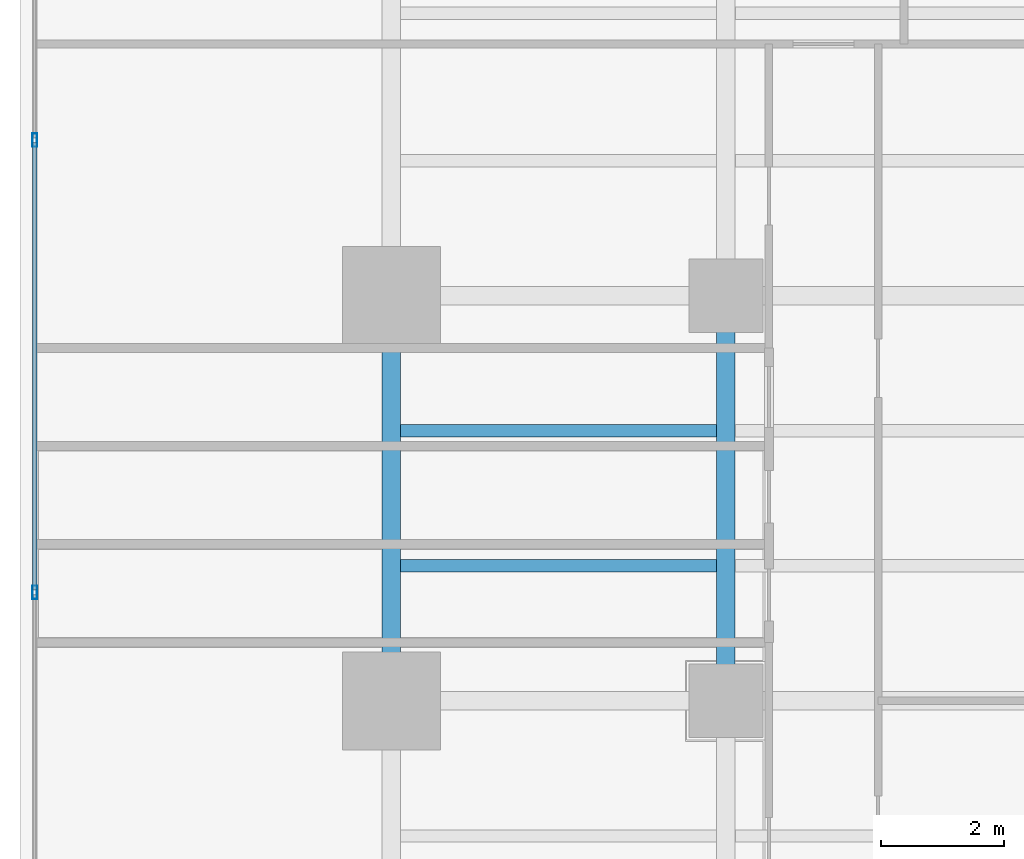
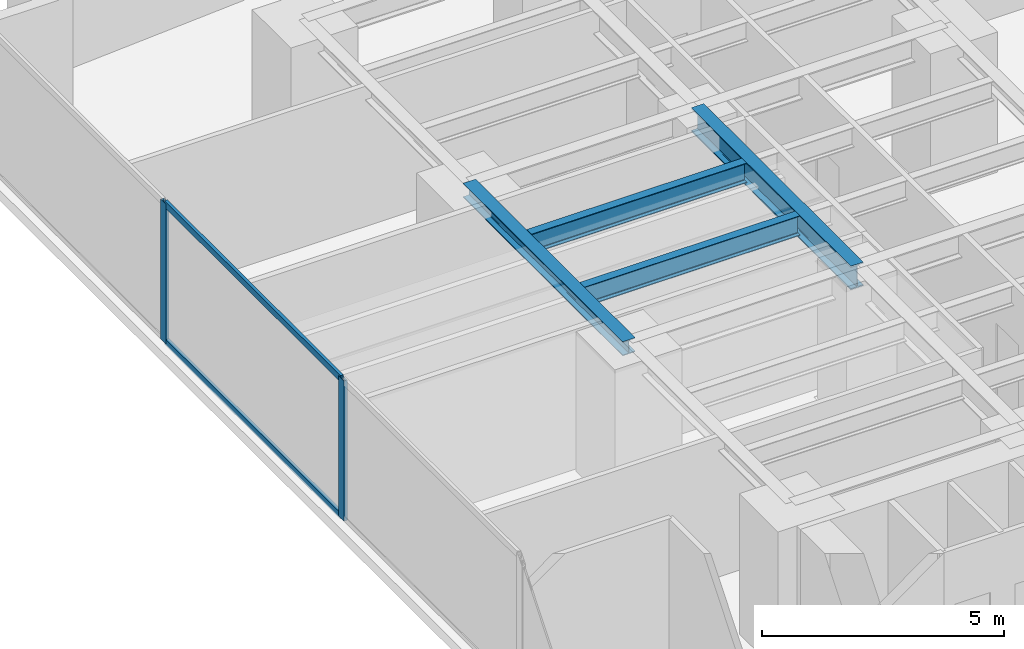
# One storey, part 15 of 26: 4 beams, 4 members, 1 element without a shape of its own.
"""IFC4 building model written with IfcOpenShell, lengths in metres."""

from ifc_helpers import new_model, si_unit, direction, frame, origin, origin_with_axes, origin_2d, place, context, subcontext, project, spatial, hollow_rectangle, i_section, extrude, source, transform, mapped, material, layer, layer_set, material_profile, profile_set, type_object, element, aggregate, save


model = new_model("IFC4")

# Units and contexts
model_context = context("Model", 3, precision=1e-05, world=origin(), true_north=direction((0.0, 1.0)))
body_context = subcontext(model_context, "Body", "Model", "MODEL_VIEW")
ifc_project = project(units=[si_unit("LENGTHUNIT", "METRE"), si_unit("AREAUNIT", "SQUARE_METRE"), si_unit("VOLUMEUNIT", "CUBIC_METRE"), si_unit("PLANEANGLEUNIT", "RADIAN"), si_unit("MASSUNIT", "GRAM", prefix="KILO")], contexts=[model_context])

# Site, building, storey
site_placement = place(None, origin())
site = spatial("IfcSite", under=ifc_project, at=site_placement, CompositionType="ELEMENT")
building_placement = place(site_placement, origin())
building = spatial("IfcBuilding", under=site, at=building_placement, Name="Kolvaren Waterfront Exchange", CompositionType="ELEMENT")
storey_placement = place(building_placement, frame((0.0, 0.0, 48.60009765625)))
storey = spatial("IfcBuildingStorey", under=building, at=storey_placement, Name="L12", CompositionType="ELEMENT", Elevation=48.60009765625)

# Beams
ifc_material_1 = material(Name="Steel S355", Category="steel")
ifc_material_profile_1 = material_profile(ifc_material_1, i_section(OverallWidth=0.300048828125, OverallDepth=0.360107421875, WebThickness=0.012451171875, FlangeThickness=0.0224609375, FilletRadius=0.027099609375, at=origin_2d()), Name="HEB360")
ifc_profile_set_1 = profile_set([ifc_material_profile_1], Name="Steel S355")
beam_type_1 = type_object("IfcBeamType", Name="STR-BM-HEB360", PredefinedType="SPANDREL", material=ifc_profile_set_1)
beam_1_placement = place(storey_placement, frame((7.449951171875, 31.199951171875, 3.35986328125), z_axis=(0.0, 1.0, 0.0), x_axis=(-1.0, 0.0, 0.0)))
element("IfcBeam", 1, at=beam_1_placement, inside=storey, type_object=beam_type_1, Name="L12 north-arm edge beam 2", PredefinedType="SPANDREL", context=body_context, shape_type="SweptSolid", body=[
    extrude(i_section(OverallWidth=0.300048828125, OverallDepth=0.360107421875, WebThickness=0.012451171875, FlangeThickness=0.0224609375, FilletRadius=0.027099609375, at=origin_2d()), origin(), (0.0, 0.0, 1.0), 6.60009765625),
])
ifc_material_profile_2 = material_profile(ifc_material_1, i_section(OverallWidth=0.300048828125, OverallDepth=0.60009765625, WebThickness=0.015380859375, FlangeThickness=0.030029296875, FilletRadius=0.027099609375, at=origin_2d()), Name="HEB600")
ifc_profile_set_2 = profile_set([ifc_material_profile_2], Name="Steel S355")
beam_type_2 = type_object("IfcBeamType", Name="STR-BM-HEB600", PredefinedType="BEAM", material=ifc_profile_set_2)
beam_2_placement = place(storey_placement, frame((12.89990234375, 31.199951171875, 3.239990234375), z_axis=(0.0, 1.0, 0.0), x_axis=(-1.0, 0.0, 0.0)))
element("IfcBeam", 2, at=beam_2_placement, inside=storey, type_object=beam_type_2, Name="L12 north-arm edge beam 2", PredefinedType="BEAM", context=body_context, shape_type="SweptSolid", body=[
    extrude(i_section(OverallWidth=0.300048828125, OverallDepth=0.60009765625, WebThickness=0.015380859375, FlangeThickness=0.030029296875, FilletRadius=0.027099609375, at=origin_2d()), origin(), (0.0, 0.0, 1.0), 6.60009765625),
])
ifc_material_profile_3 = material_profile(ifc_material_1, i_section(OverallWidth=0.199951171875, OverallDepth=0.5, WebThickness=0.01025390625, FlangeThickness=0.01611328125, FilletRadius=0.02099609375, at=origin_2d()), Name="IPE500")
ifc_profile_set_3 = profile_set([ifc_material_profile_3], Name="Steel S355")
beam_type_3 = type_object("IfcBeamType", Name="STR-BM-IPE500", PredefinedType="JOIST", material=ifc_profile_set_3)
for number, where, z_axis, x_axis, name in (
    (3, (7.60205078125, 33.39990234375, 3.289794921875), (1.0, 0.0, 0.0), (0.0, 1.0, 0.0), "L12 north-arm composite joist 3A"),
    (4, (7.60205078125, 35.60009765625, 3.289794921875), (1.0, 0.0, 0.0), (0.0, 1.0, 0.0), "L12 north-arm composite joist 4A"),
):
    element("IfcBeam", number, at=place(storey_placement, frame(where, z_axis=z_axis, x_axis=x_axis)), inside=storey, type_object=beam_type_3, Name=name, PredefinedType="JOIST", context=body_context, shape_type="SweptSolid", body=[
        extrude(i_section(OverallWidth=0.199951171875, OverallDepth=0.5, WebThickness=0.01025390625, FlangeThickness=0.01611328125, FilletRadius=0.02099609375, at=origin_2d()), origin(), (0.0, 0.0, 1.0), 5.14599609375),
    ])

# Curtain wall, members
ifc_material_2 = material(Name="Anodised aluminium 6063-T6", Category="aluminium")
ifc_layer = layer(ifc_material_2, 0.219970703125, Name="Anodised aluminium 6063-T6")
ifc_layer_set = layer_set([ifc_layer], Name="Anodised aluminium 6063-T6")
curtain_wall_type = type_object("IfcCurtainWallType", Name="ARC-CW-SYS2", PredefinedType="USERDEFINED", material=ifc_layer_set)
curtain_wall_placement = place(storey_placement, origin())
curtain_wall = element("IfcCurtainWall", 5, at=curtain_wall_placement, inside=storey, type_object=curtain_wall_type, Name="L12 stick curtain wall CW2 (CW-L12-W)", ObjectType="STICK CURTAIN WALL", PredefinedType="USERDEFINED")
ifc_material_profile_4 = material_profile(ifc_material_2, hollow_rectangle(XDim=0.080078125, YDim=0.219970703125, WallThickness=0.0048828125, at=origin_2d()), Name="ALU-MUL-220x80x5")
ifc_profile_set_4 = profile_set([ifc_material_profile_4], Name="Anodised aluminium 6063-T6")
member_type_1 = type_object("IfcMemberType", Name="ARC-CWM-220", PredefinedType="MULLION", material=ifc_profile_set_4)
shared_shape_1 = source(origin_with_axes(), body_context, "Body", "SweptSolid", [
    extrude(hollow_rectangle(XDim=0.080078125, YDim=0.219970703125, WallThickness=0.0048828125, at=origin_2d()), origin(), (0.0, 0.0, 1.0), 3.539794921875),
])
member_1_placement = place(storey_placement, frame((1.639892578125, 32.966552734375, 0.0), z_axis=(0.0, 0.0, 1.0), x_axis=(-1.0, 0.0, 0.0)))
member_1 = element("IfcMember", 6, at=member_1_placement, type_object=member_type_1, Name="CW2 mullion 5", PredefinedType="MULLION", context=body_context, shape_type="MappedRepresentation", body=[
    mapped(shared_shape_1, transform((0.0, 0.0, 0.0), x_axis=(1.0, 0.0, 0.0), y_axis=(0.0, 1.0, 0.0), z_axis=(0.0, 0.0, 1.0), scale=1.0)),
])
member_2_placement = place(storey_placement, frame((1.639892578125, 40.333251953125, 0.0), z_axis=(0.0, 0.0, 1.0), x_axis=(-1.0, 0.0, 0.0)))
member_2 = element("IfcMember", 7, at=member_2_placement, type_object=member_type_1, Name="CW2 mullion 6", PredefinedType="MULLION", context=body_context, shape_type="MappedRepresentation", body=[
    mapped(shared_shape_1, transform((0.0, 0.0, 0.0), x_axis=(1.0, 0.0, 0.0), y_axis=(0.0, 1.0, 0.0), z_axis=(0.0, 0.0, 1.0), scale=1.0)),
])
ifc_material_profile_5 = material_profile(ifc_material_2, hollow_rectangle(XDim=0.074951171875, YDim=0.159912109375, WallThickness=0.00439453125, at=origin_2d()), Name="ALU-TRN-160x75x4.5")
ifc_profile_set_5 = profile_set([ifc_material_profile_5], Name="Anodised aluminium 6063-T6")
member_type_2 = type_object("IfcMemberType", Name="ARC-CWT-160", PredefinedType="USERDEFINED", material=ifc_profile_set_5)
shared_shape_2 = source(origin_with_axes(), body_context, "Body", "SweptSolid", [
    extrude(hollow_rectangle(XDim=0.074951171875, YDim=0.159912109375, WallThickness=0.00439453125, at=origin_2d()), origin(), (0.0, 0.0, 1.0), 7.28662109375),
])
member_3_placement = place(storey_placement, frame((1.639892578125, 33.006591796875, 0.037353515625), z_axis=(0.0, 1.0, 0.0), x_axis=(-1.0, 0.0, 0.0)))
member_3 = element("IfcMember", 8, at=member_3_placement, type_object=member_type_2, Name="CW2 transom 5.1", ObjectType="TRANSOM", PredefinedType="USERDEFINED", context=body_context, shape_type="MappedRepresentation", body=[
    mapped(shared_shape_2, transform((0.0, 0.0, 0.0), x_axis=(1.0, 0.0, 0.0), y_axis=(0.0, 1.0, 0.0), z_axis=(0.0, 0.0, 1.0), scale=1.0)),
])
member_4_placement = place(storey_placement, frame((1.639892578125, 33.006591796875, 3.50244140625), z_axis=(0.0, 1.0, 0.0), x_axis=(-1.0, 0.0, 0.0)))
member_4 = element("IfcMember", 9, at=member_4_placement, type_object=member_type_2, Name="CW2 transom 5.2", ObjectType="TRANSOM", PredefinedType="USERDEFINED", context=body_context, shape_type="MappedRepresentation", body=[
    mapped(shared_shape_2, transform((0.0, 0.0, 0.0), x_axis=(1.0, 0.0, 0.0), y_axis=(0.0, 1.0, 0.0), z_axis=(0.0, 0.0, 1.0), scale=1.0)),
])
aggregate(curtain_wall, [member_1, member_2, member_3, member_4])

save(model, "model.ifc")
